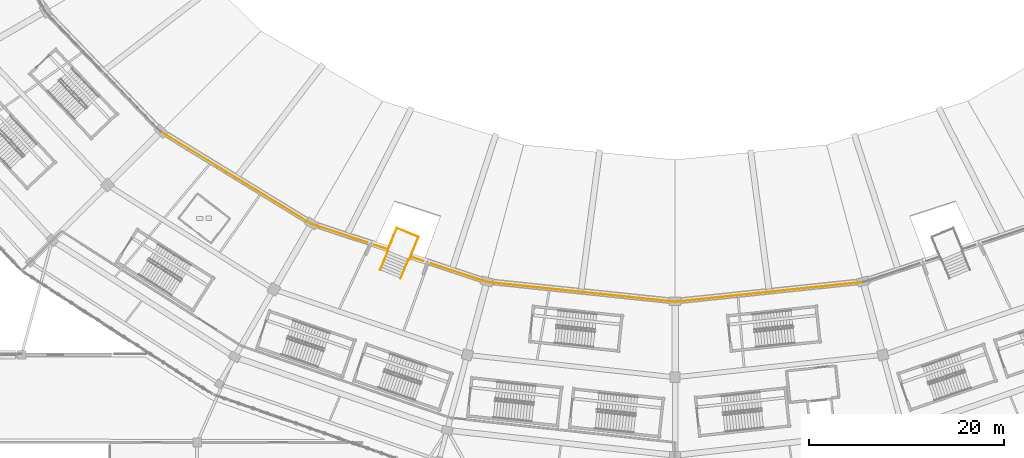
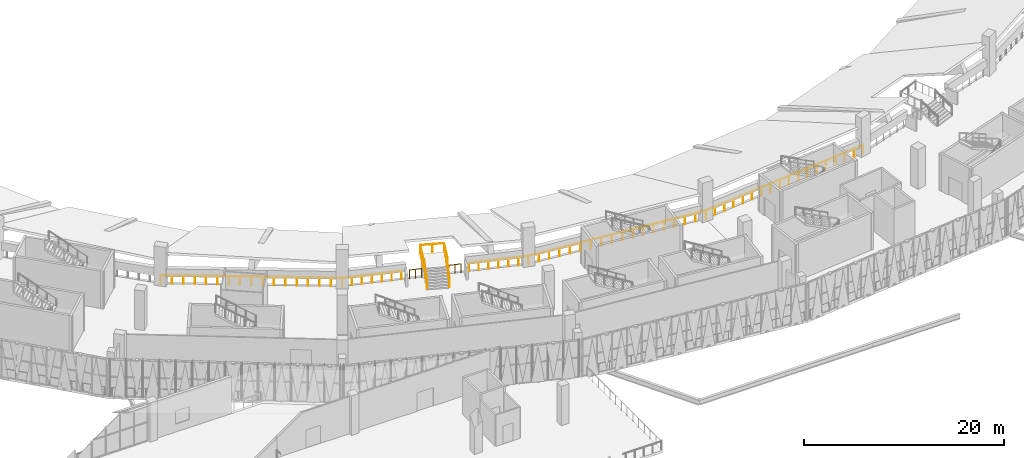
# One storey, part 136 of 183: 14 railings.
"""IFC4 building model written with IfcOpenShell, lengths in metres."""

from ifc_helpers import new_model, si_unit, direction, frame, origin, origin_2d, place, context, subcontext, project, spatial, circle, extrude, material, type_object, element, save


model = new_model("IFC4")

# Units and contexts
model_context = context("Model", 3, precision=1e-05, world=origin(), true_north=direction((0.0, 1.0)))
body_context = subcontext(model_context, "Body", "Model", "MODEL_VIEW")
ifc_project = project(units=[si_unit("LENGTHUNIT", "METRE"), si_unit("AREAUNIT", "SQUARE_METRE"), si_unit("VOLUMEUNIT", "CUBIC_METRE"), si_unit("PLANEANGLEUNIT", "RADIAN"), si_unit("MASSUNIT", "GRAM", prefix="KILO")], contexts=[model_context])

# Site, building, storey
site_placement = place(None, origin())
site = spatial("IfcSite", under=ifc_project, at=site_placement, CompositionType="ELEMENT")
building_placement = place(site_placement, origin())
building = spatial("IfcBuilding", under=site, at=building_placement, Name="Zevraka Park Crest Stadium", CompositionType="ELEMENT")
storey_placement = place(building_placement, frame((0.0, 0.0, 5.39990234375)))
storey = spatial("IfcBuildingStorey", under=building, at=storey_placement, Name="L01", CompositionType="ELEMENT", Elevation=5.39990234375)

# Railings
ifc_material_1 = material(Name="Galvanised and bronze-finished steel balustrade", Category="steel")
railing_type_1 = type_object("IfcRailingType", Name="GR01", PredefinedType="GUARDRAIL", material=ifc_material_1)
railing_1_placement = place(storey_placement, frame((74.7080078125, 40.4150390625, 0.0)))
element("IfcRailing", 1, at=railing_1_placement, inside=storey, type_object=railing_type_1, Name="Deck Edge Protection Guardrail GR01 L01-59", PredefinedType="GUARDRAIL", context=body_context, shape_type="SweptSolid", body=[
    extrude(circle(Radius=0.02392578125, at=origin_2d()), frame((0.0, 0.0, 1.076171875), z_axis=(0.949193977996, -0.314691582564, 0.0), x_axis=(0.314691582564, 0.949193977996, 0.0)), (0.0, 0.0, 1.0), 6.056640625),
    extrude(circle(Radius=0.02099609375, at=origin_2d()), origin(), (0.0, 0.0, 1.0), 1.052001953125),
    extrude(circle(Radius=0.02099609375, at=origin_2d()), frame((0.958251953125, -0.317626953125, 0.0)), (0.0, 0.0, 1.0), 1.052001953125),
    extrude(circle(Radius=0.02099609375, at=origin_2d()), frame((1.916259765625, -0.63525390625, 0.0)), (0.0, 0.0, 1.0), 1.052001953125),
    extrude(circle(Radius=0.02099609375, at=origin_2d()), frame((2.87451171875, -0.953125, 0.0)), (0.0, 0.0, 1.0), 1.052001953125),
    extrude(circle(Radius=0.02099609375, at=origin_2d()), frame((3.832763671875, -1.270751953125, 0.0)), (0.0, 0.0, 1.0), 1.052001953125),
    extrude(circle(Radius=0.02099609375, at=origin_2d()), frame((4.790771484375, -1.58837890625, 0.0)), (0.0, 0.0, 1.0), 1.052001953125),
    extrude(circle(Radius=0.02099609375, at=origin_2d()), frame((5.7490234375, -1.906005859375, 0.0)), (0.0, 0.0, 1.0), 1.052001953125),
])
railing_2_placement = place(storey_placement, frame((81.201904296875, 38.262939453125, 0.0)))
element("IfcRailing", 2, at=railing_2_placement, inside=storey, type_object=railing_type_1, Name="Deck Edge Protection Guardrail GR01 L01-60", PredefinedType="GUARDRAIL", context=body_context, shape_type="SweptSolid", body=[
    extrude(circle(Radius=0.02392578125, at=origin_2d()), frame((0.0, 0.0, 1.076171875), z_axis=(0.94943147493, -0.313974321262, 0.0), x_axis=(0.313974321262, 0.94943147493, 0.0)), (0.0, 0.0, 1.0), 1.235595703125),
    extrude(circle(Radius=0.02099609375, at=origin_2d()), origin(), (0.0, 0.0, 1.0), 1.052001953125),
    extrude(circle(Radius=0.02099609375, at=origin_2d()), frame((0.58642578125, -0.19384765625, 0.0)), (0.0, 0.0, 1.0), 1.052001953125),
    extrude(circle(Radius=0.02099609375, at=origin_2d()), frame((1.173095703125, -0.387939453125, 0.0)), (0.0, 0.0, 1.0), 1.052001953125),
])
railing_3_placement = place(storey_placement, frame((85.0400390625, 36.992919921875, 0.0)))
element("IfcRailing", 3, at=railing_3_placement, inside=storey, type_object=railing_type_1, Name="Deck Edge Protection Guardrail GR01 L01-61", PredefinedType="GUARDRAIL", context=body_context, shape_type="SweptSolid", body=[
    extrude(circle(Radius=0.02392578125, at=origin_2d()), frame((0.0, 0.0, 1.076171875), z_axis=(0.94950930185, -0.313738881397, 0.0), x_axis=(0.313738881397, 0.94950930185, 0.0)), (0.0, 0.0, 1.0), 1.236572265625),
    extrude(circle(Radius=0.02099609375, at=origin_2d()), origin(), (0.0, 0.0, 1.0), 1.052001953125),
    extrude(circle(Radius=0.02099609375, at=origin_2d()), frame((0.5869140625, -0.19384765625, 0.0)), (0.0, 0.0, 1.0), 1.052001953125),
    extrude(circle(Radius=0.02099609375, at=origin_2d()), frame((1.174072265625, -0.387939453125, 0.0)), (0.0, 0.0, 1.0), 1.052001953125),
])
railing_4_placement = place(storey_placement, frame((86.955078125, 36.360107421875, 0.0)))
element("IfcRailing", 4, at=railing_4_placement, inside=storey, type_object=railing_type_1, Name="Deck Edge Protection Guardrail GR01 L01-62", PredefinedType="GUARDRAIL", context=body_context, shape_type="SweptSolid", body=[
    extrude(circle(Radius=0.02392578125, at=origin_2d()), frame((0.0, 0.0, 1.076171875), z_axis=(0.949481418616, -0.313823255517, 0.0), x_axis=(0.313823255517, 0.949481418616, 0.0)), (0.0, 0.0, 1.0), 6.064208984375),
    extrude(circle(Radius=0.02099609375, at=origin_2d()), origin(), (0.0, 0.0, 1.0), 1.052001953125),
    extrude(circle(Radius=0.02099609375, at=origin_2d()), frame((0.959716796875, -0.317138671875, 0.0)), (0.0, 0.0, 1.0), 1.052001953125),
    extrude(circle(Radius=0.02099609375, at=origin_2d()), frame((1.919189453125, -0.63427734375, 0.0)), (0.0, 0.0, 1.0), 1.052001953125),
    extrude(circle(Radius=0.02099609375, at=origin_2d()), frame((2.87890625, -0.95166015625, 0.0)), (0.0, 0.0, 1.0), 1.052001953125),
    extrude(circle(Radius=0.02099609375, at=origin_2d()), frame((3.838623046875, -1.268798828125, 0.0)), (0.0, 0.0, 1.0), 1.052001953125),
    extrude(circle(Radius=0.02099609375, at=origin_2d()), frame((4.798095703125, -1.5859375, 0.0)), (0.0, 0.0, 1.0), 1.052001953125),
    extrude(circle(Radius=0.02099609375, at=origin_2d()), frame((5.7578125, -1.903076171875, 0.0)), (0.0, 0.0, 1.0), 1.052001953125),
])
railing_5_placement = place(storey_placement, frame((92.712890625, 34.45703125, 0.0)))
element("IfcRailing", 5, at=railing_5_placement, inside=storey, type_object=railing_type_1, Name="Deck Edge Protection Guardrail GR01 L01-63", PredefinedType="GUARDRAIL", context=body_context, shape_type="SweptSolid", body=[
    extrude(circle(Radius=0.02392578125, at=origin_2d()), frame((0.0, 0.0, 1.076171875), z_axis=(0.994520001046, -0.104546484968, 0.0), x_axis=(0.104546484968, 0.994520001046, 0.0)), (0.0, 0.0, 1.0), 19.389404296875),
    extrude(circle(Radius=0.02099609375, at=origin_2d()), origin(), (0.0, 0.0, 1.0), 1.052001953125),
    extrude(circle(Radius=0.02099609375, at=origin_2d()), frame((1.13427734375, -0.119140625, 0.0)), (0.0, 0.0, 1.0), 1.052001953125),
    extrude(circle(Radius=0.02099609375, at=origin_2d()), frame((2.2685546875, -0.238525390625, 0.0)), (0.0, 0.0, 1.0), 1.052001953125),
    extrude(circle(Radius=0.02099609375, at=origin_2d()), frame((3.40283203125, -0.357666015625, 0.0)), (0.0, 0.0, 1.0), 1.052001953125),
    extrude(circle(Radius=0.02099609375, at=origin_2d()), frame((4.537109375, -0.47705078125, 0.0)), (0.0, 0.0, 1.0), 1.052001953125),
    extrude(circle(Radius=0.02099609375, at=origin_2d()), frame((5.671630859375, -0.59619140625, 0.0)), (0.0, 0.0, 1.0), 1.052001953125),
    extrude(circle(Radius=0.02099609375, at=origin_2d()), frame((6.805908203125, -0.71533203125, 0.0)), (0.0, 0.0, 1.0), 1.052001953125),
    extrude(circle(Radius=0.02099609375, at=origin_2d()), frame((7.940185546875, -0.834716796875, 0.0)), (0.0, 0.0, 1.0), 1.052001953125),
    extrude(circle(Radius=0.02099609375, at=origin_2d()), frame((9.074462890625, -0.953857421875, 0.0)), (0.0, 0.0, 1.0), 1.052001953125),
    extrude(circle(Radius=0.02099609375, at=origin_2d()), frame((10.208740234375, -1.0732421875, 0.0)), (0.0, 0.0, 1.0), 1.052001953125),
    extrude(circle(Radius=0.02099609375, at=origin_2d()), frame((11.343017578125, -1.1923828125, 0.0)), (0.0, 0.0, 1.0), 1.052001953125),
    extrude(circle(Radius=0.02099609375, at=origin_2d()), frame((12.477294921875, -1.311767578125, 0.0)), (0.0, 0.0, 1.0), 1.052001953125),
    extrude(circle(Radius=0.02099609375, at=origin_2d()), frame((13.611572265625, -1.430908203125, 0.0)), (0.0, 0.0, 1.0), 1.052001953125),
    extrude(circle(Radius=0.02099609375, at=origin_2d()), frame((14.74609375, -1.550048828125, 0.0)), (0.0, 0.0, 1.0), 1.052001953125),
    extrude(circle(Radius=0.02099609375, at=origin_2d()), frame((15.88037109375, -1.66943359375, 0.0)), (0.0, 0.0, 1.0), 1.052001953125),
    extrude(circle(Radius=0.02099609375, at=origin_2d()), frame((17.0146484375, -1.78857421875, 0.0)), (0.0, 0.0, 1.0), 1.052001953125),
    extrude(circle(Radius=0.02099609375, at=origin_2d()), frame((18.14892578125, -1.907958984375, 0.0)), (0.0, 0.0, 1.0), 1.052001953125),
    extrude(circle(Radius=0.02099609375, at=origin_2d()), frame((19.283203125, -2.027099609375, 0.0)), (0.0, 0.0, 1.0), 1.052001953125),
])
railing_6_placement = place(storey_placement, frame((111.99609375, 32.429931640625, 0.0)))
element("IfcRailing", 6, at=railing_6_placement, inside=storey, type_object=railing_type_1, Name="Deck Edge Protection Guardrail GR01 L01-64", PredefinedType="GUARDRAIL", context=body_context, shape_type="SweptSolid", body=[
    extrude(circle(Radius=0.02392578125, at=origin_2d()), frame((0.0, 0.0, 1.076171875), z_axis=(0.994524402359, 0.104504608089, 0.0), x_axis=(-0.104504608089, 0.994524402359, 0.0)), (0.0, 0.0, 1.0), 19.397216796875),
    extrude(circle(Radius=0.02099609375, at=origin_2d()), origin(), (0.0, 0.0, 1.0), 1.052001953125),
    extrude(circle(Radius=0.02099609375, at=origin_2d()), frame((1.134765625, 0.119140625, 0.0)), (0.0, 0.0, 1.0), 1.052001953125),
    extrude(circle(Radius=0.02099609375, at=origin_2d()), frame((2.26953125, 0.238525390625, 0.0)), (0.0, 0.0, 1.0), 1.052001953125),
    extrude(circle(Radius=0.02099609375, at=origin_2d()), frame((3.404296875, 0.357666015625, 0.0)), (0.0, 0.0, 1.0), 1.052001953125),
    extrude(circle(Radius=0.02099609375, at=origin_2d()), frame((4.5390625, 0.47705078125, 0.0)), (0.0, 0.0, 1.0), 1.052001953125),
    extrude(circle(Radius=0.02099609375, at=origin_2d()), frame((5.673828125, 0.59619140625, 0.0)), (0.0, 0.0, 1.0), 1.052001953125),
    extrude(circle(Radius=0.02099609375, at=origin_2d()), frame((6.80859375, 0.71533203125, 0.0)), (0.0, 0.0, 1.0), 1.052001953125),
    extrude(circle(Radius=0.02099609375, at=origin_2d()), frame((7.943359375, 0.834716796875, 0.0)), (0.0, 0.0, 1.0), 1.052001953125),
    extrude(circle(Radius=0.02099609375, at=origin_2d()), frame((9.078125, 0.953857421875, 0.0)), (0.0, 0.0, 1.0), 1.052001953125),
    extrude(circle(Radius=0.02099609375, at=origin_2d()), frame((10.212890625, 1.0732421875, 0.0)), (0.0, 0.0, 1.0), 1.052001953125),
    extrude(circle(Radius=0.02099609375, at=origin_2d()), frame((11.34765625, 1.1923828125, 0.0)), (0.0, 0.0, 1.0), 1.052001953125),
    extrude(circle(Radius=0.02099609375, at=origin_2d()), frame((12.482421875, 1.311767578125, 0.0)), (0.0, 0.0, 1.0), 1.052001953125),
    extrude(circle(Radius=0.02099609375, at=origin_2d()), frame((13.6171875, 1.430908203125, 0.0)), (0.0, 0.0, 1.0), 1.052001953125),
    extrude(circle(Radius=0.02099609375, at=origin_2d()), frame((14.751953125, 1.550048828125, 0.0)), (0.0, 0.0, 1.0), 1.052001953125),
    extrude(circle(Radius=0.02099609375, at=origin_2d()), frame((15.88671875, 1.66943359375, 0.0)), (0.0, 0.0, 1.0), 1.052001953125),
    extrude(circle(Radius=0.02099609375, at=origin_2d()), frame((17.021484375, 1.78857421875, 0.0)), (0.0, 0.0, 1.0), 1.052001953125),
    extrude(circle(Radius=0.02099609375, at=origin_2d()), frame((18.15625, 1.907958984375, 0.0)), (0.0, 0.0, 1.0), 1.052001953125),
    extrude(circle(Radius=0.02099609375, at=origin_2d()), frame((19.291015625, 2.027099609375, 0.0)), (0.0, 0.0, 1.0), 1.052001953125),
])
railing_7_placement = place(storey_placement, frame((59.27099609375, 49.8779296875, 0.0)))
element("IfcRailing", 7, at=railing_7_placement, inside=storey, type_object=railing_type_1, Name="Deck Edge Protection Guardrail GR01 L01-106", PredefinedType="GUARDRAIL", context=body_context, shape_type="SweptSolid", body=[
    extrude(circle(Radius=0.02392578125, at=origin_2d()), frame((0.0, 0.0, 1.076171875), z_axis=(0.852564430634, -0.522622130814, 0.0), x_axis=(0.522622130814, 0.852564430634, 0.0)), (0.0, 0.0, 1.0), 18.1064453125),
    extrude(circle(Radius=0.02099609375, at=origin_2d()), origin(), (0.0, 0.0, 1.0), 1.052001953125),
    extrude(circle(Radius=0.02099609375, at=origin_2d()), frame((0.96484375, -0.59130859375, 0.0)), (0.0, 0.0, 1.0), 1.052001953125),
    extrude(circle(Radius=0.02099609375, at=origin_2d()), frame((1.9296875, -1.182861328125, 0.0)), (0.0, 0.0, 1.0), 1.052001953125),
    extrude(circle(Radius=0.02099609375, at=origin_2d()), frame((2.89453125, -1.7744140625, 0.0)), (0.0, 0.0, 1.0), 1.052001953125),
    extrude(circle(Radius=0.02099609375, at=origin_2d()), frame((3.859375, -2.36572265625, 0.0)), (0.0, 0.0, 1.0), 1.052001953125),
    extrude(circle(Radius=0.02099609375, at=origin_2d()), frame((4.823974609375, -2.95703125, 0.0)), (0.0, 0.0, 1.0), 1.052001953125),
    extrude(circle(Radius=0.02099609375, at=origin_2d()), frame((5.788818359375, -3.548583984375, 0.0)), (0.0, 0.0, 1.0), 1.052001953125),
    extrude(circle(Radius=0.02099609375, at=origin_2d()), frame((6.753662109375, -4.14013671875, 0.0)), (0.0, 0.0, 1.0), 1.052001953125),
    extrude(circle(Radius=0.02099609375, at=origin_2d()), frame((7.718505859375, -4.7314453125, 0.0)), (0.0, 0.0, 1.0), 1.052001953125),
    extrude(circle(Radius=0.02099609375, at=origin_2d()), frame((8.683349609375, -5.32275390625, 0.0)), (0.0, 0.0, 1.0), 1.052001953125),
    extrude(circle(Radius=0.02099609375, at=origin_2d()), frame((9.648193359375, -5.914306640625, 0.0)), (0.0, 0.0, 1.0), 1.052001953125),
    extrude(circle(Radius=0.02099609375, at=origin_2d()), frame((10.613037109375, -6.505859375, 0.0)), (0.0, 0.0, 1.0), 1.052001953125),
    extrude(circle(Radius=0.02099609375, at=origin_2d()), frame((11.57763671875, -7.09716796875, 0.0)), (0.0, 0.0, 1.0), 1.052001953125),
    extrude(circle(Radius=0.02099609375, at=origin_2d()), frame((12.54248046875, -7.6884765625, 0.0)), (0.0, 0.0, 1.0), 1.052001953125),
    extrude(circle(Radius=0.02099609375, at=origin_2d()), frame((13.50732421875, -8.280029296875, 0.0)), (0.0, 0.0, 1.0), 1.052001953125),
    extrude(circle(Radius=0.02099609375, at=origin_2d()), frame((14.47216796875, -8.87158203125, 0.0)), (0.0, 0.0, 1.0), 1.052001953125),
    extrude(circle(Radius=0.02099609375, at=origin_2d()), frame((15.43701171875, -9.462890625, 0.0)), (0.0, 0.0, 1.0), 1.052001953125),
])
ifc_material_2 = material(Name="Powder-coated tubular steel stairwell guard", Category="steel")
railing_type_2 = type_object("IfcRailingType", Name="GR03", PredefinedType="GUARDRAIL", material=ifc_material_2)
railing_8_placement = place(storey_placement, frame((83.868896484375, 34.845947265625, 0.150146484375)))
element("IfcRailing", 8, at=railing_8_placement, inside=storey, type_object=railing_type_2, Name="Vomitory Flight Guard VS-06-1", PredefinedType="GUARDRAIL", context=body_context, shape_type="SweptSolid", body=[
    extrude(circle(Radius=0.02392578125, at=origin_2d()), frame((0.0, 0.0, 1.076171875), z_axis=(0.342516116352, 0.826239544789, 0.447225809481), x_axis=(-0.92377020137, 0.382947274517, 0.0)), (0.0, 0.0, 1.0), 2.347900390625),
    extrude(circle(Radius=0.02099609375, at=origin_2d()), origin(), (0.0, 0.0, 1.0), 1.052001953125),
    extrude(circle(Radius=0.02099609375, at=origin_2d()), frame((0.402099609375, 0.969970703125, 0.52490234375)), (0.0, 0.0, 1.0), 1.052001953125),
    extrude(circle(Radius=0.02099609375, at=origin_2d()), frame((0.80419921875, 1.93994140625, 1.050048828125)), (0.0, 0.0, 1.0), 1.052001953125),
])
railing_9_placement = place(storey_placement, frame((81.762939453125, 35.718017578125, 0.150146484375)))
element("IfcRailing", 9, at=railing_9_placement, inside=storey, type_object=railing_type_2, Name="Vomitory Flight Guard VS-06-2", PredefinedType="GUARDRAIL", context=body_context, shape_type="SweptSolid", body=[
    extrude(circle(Radius=0.02392578125, at=origin_2d()), frame((0.0, 0.0, 1.076171875), z_axis=(0.342057079019, 0.826386606837, 0.447305411025), x_axis=(-0.923975744762, 0.382451072807, 0.0)), (0.0, 0.0, 1.0), 2.347412109375),
    extrude(circle(Radius=0.02099609375, at=origin_2d()), origin(), (0.0, 0.0, 1.0), 1.052001953125),
    extrude(circle(Radius=0.02099609375, at=origin_2d()), frame((0.4013671875, 0.969970703125, 0.52490234375)), (0.0, 0.0, 1.0), 1.052001953125),
    extrude(circle(Radius=0.02099609375, at=origin_2d()), frame((0.802978515625, 1.93994140625, 1.050048828125)), (0.0, 0.0, 1.0), 1.052001953125),
])
railing_10_placement = place(storey_placement, frame((84.718994140625, 36.739990234375, 1.2001953125)))
element("IfcRailing", 10, at=railing_10_placement, inside=storey, type_object=railing_type_2, Name="Vomitory Landing Guard VS-06-1", PredefinedType="GUARDRAIL", context=body_context, shape_type="SweptSolid", body=[
    extrude(circle(Radius=0.02392578125, at=origin_2d()), frame((0.0, 0.0, 1.076171875), z_axis=(0.382582352346, 0.923921394748, 0.0), x_axis=(-0.923921394748, 0.382582352346, 0.0)), (0.0, 0.0, 1.0), 2.525146484375),
    extrude(circle(Radius=0.02099609375, at=origin_2d()), origin(), (0.0, 0.0, 1.0), 1.052001953125),
    extrude(circle(Radius=0.02099609375, at=origin_2d()), frame((0.322021484375, 0.777587890625, 0.0)), (0.0, 0.0, 1.0), 1.052001953125),
    extrude(circle(Radius=0.02099609375, at=origin_2d()), frame((0.64404296875, 1.555419921875, 0.0)), (0.0, 0.0, 1.0), 1.052001953125),
    extrude(circle(Radius=0.02099609375, at=origin_2d()), frame((0.966064453125, 2.3330078125, 0.0)), (0.0, 0.0, 1.0), 1.052001953125),
])
railing_11_placement = place(storey_placement, frame((85.68505859375, 39.072998046875, 1.2001953125)))
element("IfcRailing", 11, at=railing_11_placement, inside=storey, type_object=railing_type_2, Name="Vomitory Landing Guard VS-06-2", PredefinedType="GUARDRAIL", context=body_context, shape_type="SweptSolid", body=[
    extrude(circle(Radius=0.02392578125, at=origin_2d()), frame((0.0, 0.0, 1.076171875), z_axis=(-0.923932522988, 0.382555476978, 0.0), x_axis=(-0.382555476978, -0.923932522988, 0.0)), (0.0, 0.0, 1.0), 2.399658203125),
    extrude(circle(Radius=0.02099609375, at=origin_2d()), origin(), (0.0, 0.0, 1.0), 1.052001953125),
    extrude(circle(Radius=0.02099609375, at=origin_2d()), frame((-1.1083984375, 0.458984375, 0.0)), (0.0, 0.0, 1.0), 1.052001953125),
    extrude(circle(Radius=0.02099609375, at=origin_2d()), frame((-2.217041015625, 0.91796875, 0.0)), (0.0, 0.0, 1.0), 1.052001953125),
])
railing_12_placement = place(storey_placement, frame((83.468017578125, 39.990966796875, 1.2001953125)))
element("IfcRailing", 12, at=railing_12_placement, inside=storey, type_object=railing_type_2, Name="Vomitory Landing Guard VS-06-3", PredefinedType="GUARDRAIL", context=body_context, shape_type="SweptSolid", body=[
    extrude(circle(Radius=0.02392578125, at=origin_2d()), frame((0.0, 0.0, 1.076171875), z_axis=(-0.382912412057, -0.923784652769, 0.0), x_axis=(0.923784652769, -0.382912412057, 0.0)), (0.0, 0.0, 1.0), 2.525390625),
    extrude(circle(Radius=0.02099609375, at=origin_2d()), origin(), (0.0, 0.0, 1.0), 1.052001953125),
    extrude(circle(Radius=0.02099609375, at=origin_2d()), frame((-0.322265625, -0.777587890625, 0.0)), (0.0, 0.0, 1.0), 1.052001953125),
    extrude(circle(Radius=0.02099609375, at=origin_2d()), frame((-0.644775390625, -1.555419921875, 0.0)), (0.0, 0.0, 1.0), 1.052001953125),
    extrude(circle(Radius=0.02099609375, at=origin_2d()), frame((-0.967041015625, -2.3330078125, 0.0)), (0.0, 0.0, 1.0), 1.052001953125),
])
ifc_material_3 = material(Name="Brushed stainless steel continuous handrail", Category="steel")
railing_type_3 = type_object("IfcRailingType", Name="HR01", PredefinedType="HANDRAIL", material=ifc_material_3)
railing_13_placement = place(storey_placement, frame((83.868896484375, 34.845947265625, 0.150146484375)))
element("IfcRailing", 13, at=railing_13_placement, inside=storey, type_object=railing_type_3, Name="Vomitory Handrail VS-06-1", PredefinedType="HANDRAIL", context=body_context, shape_type="SweptSolid", body=[
    extrude(circle(Radius=0.02392578125, at=origin_2d()), frame((0.0, 0.0, 0.8759765625), z_axis=(0.342516116352, 0.826239544789, 0.447225809481), x_axis=(-0.92377020137, 0.382947274517, 0.0)), (0.0, 0.0, 1.0), 2.347900390625),
    extrude(circle(Radius=0.02099609375, at=origin_2d()), origin(), (0.0, 0.0, 1.0), 0.851806640625),
    extrude(circle(Radius=0.02099609375, at=origin_2d()), frame((0.402099609375, 0.969970703125, 0.52490234375)), (0.0, 0.0, 1.0), 0.851806640625),
    extrude(circle(Radius=0.02099609375, at=origin_2d()), frame((0.80419921875, 1.93994140625, 1.050048828125)), (0.0, 0.0, 1.0), 0.851806640625),
])
railing_14_placement = place(storey_placement, frame((81.762939453125, 35.718017578125, 0.150146484375)))
element("IfcRailing", 14, at=railing_14_placement, inside=storey, type_object=railing_type_3, Name="Vomitory Handrail VS-06-2", PredefinedType="HANDRAIL", context=body_context, shape_type="SweptSolid", body=[
    extrude(circle(Radius=0.02392578125, at=origin_2d()), frame((0.0, 0.0, 0.8759765625), z_axis=(0.342057079019, 0.826386606837, 0.447305411025), x_axis=(-0.923975744762, 0.382451072807, 0.0)), (0.0, 0.0, 1.0), 2.347412109375),
    extrude(circle(Radius=0.02099609375, at=origin_2d()), origin(), (0.0, 0.0, 1.0), 0.851806640625),
    extrude(circle(Radius=0.02099609375, at=origin_2d()), frame((0.4013671875, 0.969970703125, 0.52490234375)), (0.0, 0.0, 1.0), 0.851806640625),
    extrude(circle(Radius=0.02099609375, at=origin_2d()), frame((0.802978515625, 1.93994140625, 1.050048828125)), (0.0, 0.0, 1.0), 0.851806640625),
])

save(model, "model.ifc")
